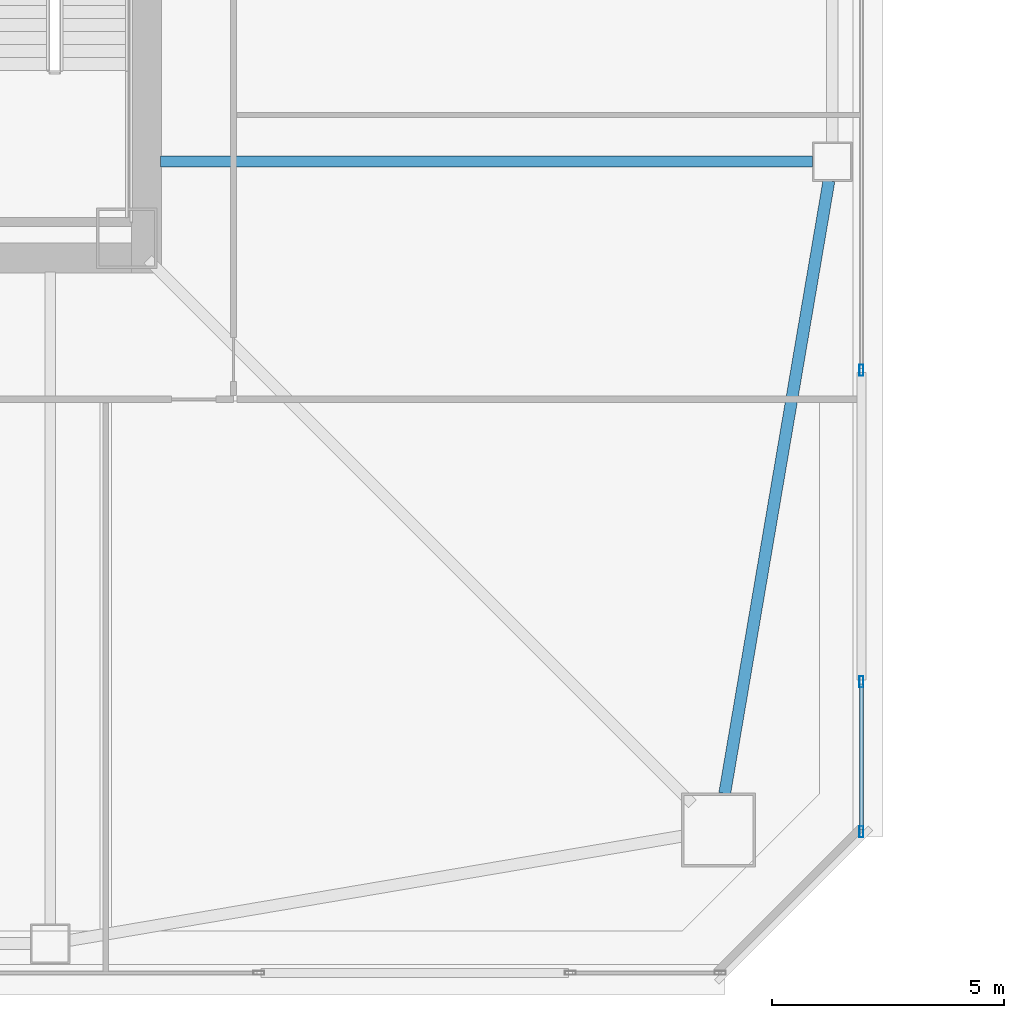
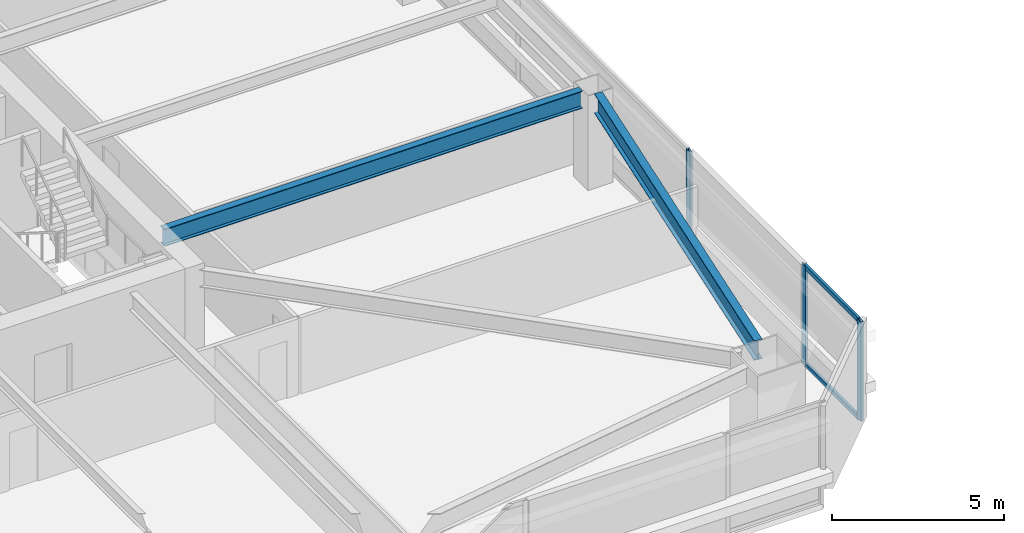
# One storey, part 10 of 51: 5 members, 2 beams, 2 elements without a shape of their own.
"""IFC4 building model written with IfcOpenShell, lengths in metres."""

import ifcopenshell
import ifcopenshell.guid

model = None  # the IFC model being written
_history = None  # IfcOwnerHistory: only IFC2X3 demands one
_inside = {}  # id of a spatial element -> (the spatial element, [elements in it])
_under = {}  # id of a project, library or spatial element -> (it, [spatial elements below it])
_declared = {}  # id of a project -> (the project, [libraries it declares])
_typed = {}  # id of a type object -> (the type object, [elements of that type])
_made_of = {}  # id of a material, layer set ... -> (it, [elements and type objects made of it])


def new_model(schema):
    """Start an empty IFC model of exactly this schema.

    Asked for "IFC4X3", IfcOpenShell would pick the latest addendum, in which some entities
    have other attributes; the version numbers below select the first issue.
    IFC2X3 requires an IfcOwnerHistory on every rooted entity: one is made here for all.
    """
    global model, _history
    if schema == "IFC4X3":
        model = ifcopenshell.file(schema_version=(4, 3, 0, 0))
    else:
        model = ifcopenshell.file(schema=schema)
    _inside.clear()
    _under.clear()
    _declared.clear()
    _typed.clear()
    _made_of.clear()
    _history = None
    if model.schema == "IFC2X3":
        org = make("IfcOrganization", Name="unknown")
        user = make(
            "IfcPersonAndOrganization",
            ThePerson=make("IfcPerson", FamilyName="unknown"),
            TheOrganization=org,
        )
        app = make(
            "IfcApplication",
            ApplicationDeveloper=org,
            Version="unknown",
            ApplicationFullName="unknown",
            ApplicationIdentifier="unknown",
        )
        _history = make(
            "IfcOwnerHistory",
            OwningUser=user,
            OwningApplication=app,
            ChangeAction="ADDED",
            CreationDate=0,
        )
    return model


def make(cls, **values):
    """One entity of the class cls with the attributes given. An attribute that is None is left unset."""
    return model.create_entity(
        cls, **{name: value for name, value in values.items() if value is not None}
    )


def rooted(cls, **values):
    """An entity with a GlobalId (a new one), such as an element, a storey or a relation."""
    return make(cls, GlobalId=ifcopenshell.guid.new(), OwnerHistory=_history, **values)


def si_unit(unit_type, name, prefix=None):
    """IfcSIUnit, for example si_unit("LENGTHUNIT", "METRE", prefix="MILLI")."""
    return make("IfcSIUnit", UnitType=unit_type, Prefix=prefix, Name=name)


def assignment(units):
    """IfcUnitAssignment: the units of a project."""
    return None if units is None else make("IfcUnitAssignment", Units=units)


def point(xyz):
    """IfcCartesianPoint."""
    return None if xyz is None else make("IfcCartesianPoint", Coordinates=xyz)


def direction(xyz):
    """IfcDirection."""
    return None if xyz is None else make("IfcDirection", DirectionRatios=xyz)


def frame(location, z_axis=None, x_axis=None):
    """IfcAxis2Placement3D, a coordinate frame: its origin and axes. An axis left out is left unset."""
    return make(
        "IfcAxis2Placement3D",
        Location=point(location),
        Axis=direction(z_axis),
        RefDirection=direction(x_axis),
    )


def frame_2d(location, x_axis=None):
    """IfcAxis2Placement2D, a coordinate frame in the plane: its origin and x axis."""
    return make(
        "IfcAxis2Placement2D", Location=point(location), RefDirection=direction(x_axis)
    )


def origin():
    """The frame at (0, 0, 0) with its axes left unset."""
    return frame((0.0, 0.0, 0.0))


def origin_2d():
    """The frame at (0, 0) in the plane with its x axis left unset."""
    return frame_2d((0.0, 0.0))


def place(relative_to, where):
    """IfcLocalPlacement: puts the frame where relative to a parent placement (None: the world)."""
    return make(
        "IfcLocalPlacement", PlacementRelTo=relative_to, RelativePlacement=where
    )


def context(
    kind, dimensions, precision=None, world=None, true_north=None, identifier=None
):
    """IfcGeometricRepresentationContext, for example the 3D "Model" context."""
    return make(
        "IfcGeometricRepresentationContext",
        ContextIdentifier=identifier,
        ContextType=kind,
        CoordinateSpaceDimension=dimensions,
        Precision=precision,
        WorldCoordinateSystem=world,
        TrueNorth=true_north,
    )


def subcontext(parent, identifier, kind, view, scale=None):
    """IfcGeometricRepresentationSubContext, for example "Body" below "Model"."""
    return make(
        "IfcGeometricRepresentationSubContext",
        ContextIdentifier=identifier,
        ContextType=kind,
        ParentContext=parent,
        TargetScale=scale,
        TargetView=view,
    )


def project(units=None, contexts=None):
    """IfcProject with its units and contexts."""
    return rooted(
        "IfcProject",
        Name="project",
        RepresentationContexts=contexts,
        UnitsInContext=assignment(units),
    )


def spatial(cls, under=None, at=None, **own):
    """A site, building, storey or space (cls), placed at a placement, below another one or the project."""
    s = rooted(cls, ObjectPlacement=at, **own)
    if under is not None:
        _under.setdefault(under.id(), (under, []))[1].append(s)
    return s


def profile(cls, at=None, kind="AREA", **sizes):
    """A parametric profile (cls). Its sizes go by their IFC names, for example OverallWidth=200.0."""
    return make(cls, ProfileType=kind, Position=at, **sizes)


def hollow_rectangle(**sizes):
    """IfcRectangleHollowProfileDef."""
    return profile("IfcRectangleHollowProfileDef", **sizes)


def i_section(**sizes):
    """IfcIShapeProfileDef."""
    return profile("IfcIShapeProfileDef", **sizes)


def extrude(swept, where, along, depth):
    """IfcExtrudedAreaSolid: the profile swept, set in the frame where, extruded along a direction by depth."""
    return make(
        "IfcExtrudedAreaSolid",
        SweptArea=swept,
        Position=where,
        ExtrudedDirection=direction(along),
        Depth=depth,
    )


def shape(context_of_items, identifier, shape_type, items):
    """IfcShapeRepresentation: the items that make up one representation, for example the "Body"."""
    return make(
        "IfcShapeRepresentation",
        ContextOfItems=context_of_items,
        RepresentationIdentifier=identifier,
        RepresentationType=shape_type,
        Items=items,
    )


def material(Name=None, Category=None):
    """IfcMaterial."""
    return make("IfcMaterial", Name=Name, Category=Category)


def material_profile(
    of_material, cross_section, Name=None, Category=None, Priority=None
):
    """IfcMaterialProfile: a cross section and its material."""
    return make(
        "IfcMaterialProfile",
        Name=Name,
        Material=of_material,
        Profile=cross_section,
        Priority=Priority,
        Category=Category,
    )


def profile_set(profiles, Name=None, composite=None):
    """IfcMaterialProfileSet."""
    return make(
        "IfcMaterialProfileSet",
        Name=Name,
        MaterialProfiles=profiles,
        CompositeProfile=composite,
    )


def made_of(thing, what):
    """Note that an element or type object is made of a material, layer set ...; save() writes the relation."""
    if what is not None:
        _made_of.setdefault(what.id(), (what, []))[1].append(thing)
    return thing


def type_object(cls, material=None, **own):
    """A type object (cls), such as IfcWallType, which elements share."""
    return made_of(rooted(cls, **own), material)


def element(
    cls,
    number,
    at=None,
    inside=None,
    cuts=None,
    type_object=None,
    material=None,
    context=None,
    identifier="Body",
    shape_type=None,
    held_by="IfcProductDefinitionShape",
    body=None,
    shapes=None,
    **own,
):
    """One element of the class cls, such as IfcWall. Its Tag is "e" and its number.

    at: its placement. inside: the storey or other place that contains it. cuts: it is an
    opening in that element (IfcRelVoidsElement). A single representation is given by context,
    identifier, shape_type and body (its items); several are given by shapes. held_by: the class
    of the entity that holds the representations. save() writes the other relations.
    """
    e = rooted(cls, Tag="e%d" % number, ObjectPlacement=at, **own)
    if body is not None:
        shapes = [shape(context, identifier, shape_type, body)]
    if shapes is not None:
        e.Representation = make(held_by, Representations=shapes)
    if inside is not None:
        _inside.setdefault(inside.id(), (inside, []))[1].append(e)
    if cuts is not None:
        rooted(
            "IfcRelVoidsElement", RelatingBuildingElement=cuts, RelatedOpeningElement=e
        )
    if type_object is not None:
        _typed.setdefault(type_object.id(), (type_object, []))[1].append(e)
    return made_of(e, material)


def aggregate(whole, parts):
    """IfcRelAggregates: a whole, such as a stair, and the parts it consists of."""
    return rooted("IfcRelAggregates", RelatingObject=whole, RelatedObjects=parts)


def save(model, path):
    """Write the relations noted so far, then the file.

    IfcRelAggregates (storeys below a building ...), IfcRelContainedInSpatialStructure (elements
    in a storey), IfcRelDefinesByType, IfcRelAssociatesMaterial and IfcRelDeclares: one each for
    every whole, place, type object, material and project.
    """
    for whole, parts in _under.values():
        aggregate(whole, parts)
    for where, things in _inside.values():
        rooted(
            "IfcRelContainedInSpatialStructure",
            RelatedElements=things,
            RelatingStructure=where,
        )
    for kind, things in _typed.values():
        rooted("IfcRelDefinesByType", RelatedObjects=things, RelatingType=kind)
    for what, things in _made_of.values():
        rooted("IfcRelAssociatesMaterial", RelatedObjects=things, RelatingMaterial=what)
    for by, libraries in _declared.values():
        rooted("IfcRelDeclares", RelatingContext=by, RelatedDefinitions=libraries)
    model.write(path)


model = new_model("IFC4")

# Units and contexts
model_context = context("Model", 3, precision=1e-05, world=origin(), true_north=direction((0.0, 1.0)))
body_context = subcontext(model_context, "Body", "Model", "MODEL_VIEW")
ifc_project = project(units=[si_unit("LENGTHUNIT", "METRE"), si_unit("AREAUNIT", "SQUARE_METRE"), si_unit("VOLUMEUNIT", "CUBIC_METRE"), si_unit("PLANEANGLEUNIT", "RADIAN"), si_unit("MASSUNIT", "GRAM", prefix="KILO")], contexts=[model_context])

# Site, building, storey
site_placement = place(None, origin())
site = spatial("IfcSite", under=ifc_project, at=site_placement, CompositionType="ELEMENT")
building_placement = place(site_placement, origin())
building = spatial("IfcBuilding", under=site, at=building_placement, Name="Tashvorn Skyway Center", CompositionType="ELEMENT")
storey_placement = place(building_placement, frame((0.0, 0.0, 49.449951171875)))
storey = spatial("IfcBuildingStorey", under=building, at=storey_placement, Name="L12", CompositionType="ELEMENT", Elevation=49.449951171875)

# Beams
ifc_material_1 = material(Name="Steel ASTM A992 Grade 50", Category="steel")
ifc_material_profile_1 = material_profile(ifc_material_1, i_section(OverallWidth=0.22998046875, OverallDepth=0.616943359375, WebThickness=0.01318359375, FlangeThickness=0.022216796875, at=origin_2d()), Name="W24X94")
ifc_profile_set_1 = profile_set([ifc_material_profile_1], Name="Steel ASTM A992 Grade 50")
beam_type_1 = type_object("IfcBeamType", Name="BM-BEAM-W24X94", PredefinedType="BEAM", material=ifc_profile_set_1)
beam_1_placement = place(storey_placement, frame((63.830078125, 26.60009765625, 3.04150390625), z_axis=(-1.0, 0.0, 0.0), x_axis=(0.0, -1.0, 0.0)))
element("IfcBeam", 1, at=beam_1_placement, inside=storey, type_object=beam_type_1, Name="Tower 1 L12 Primary Floor Girder FC-E1", PredefinedType="BEAM", context=body_context, shape_type="SweptSolid", body=[
    extrude(i_section(OverallWidth=0.22998046875, OverallDepth=0.616943359375, WebThickness=0.01318359375, FlangeThickness=0.022216796875, at=origin_2d()), origin(), (0.0, 0.0, 1.0), 14.050048828125),
])
ifc_material_profile_2 = material_profile(ifc_material_1, i_section(OverallWidth=0.256103515625, OverallDepth=0.693115234375, WebThickness=0.014404296875, FlangeThickness=0.023681640625, at=origin_2d()), Name="W27X114")
ifc_profile_set_2 = profile_set([ifc_material_profile_2], Name="Steel ASTM A992 Grade 50")
beam_type_2 = type_object("IfcBeamType", Name="BM-SPANDREL-W27X114", PredefinedType="SPANDREL", material=ifc_profile_set_2)
beam_2_placement = place(storey_placement, frame((61.933349609375, 12.983642578125, 3.003662109375), z_axis=(0.16771792509, 0.985835025551, 0.0), x_axis=(-0.985835025551, 0.16771792509, 0.0)))
element("IfcBeam", 2, at=beam_2_placement, inside=storey, type_object=beam_type_2, Name="Tower 1 L12 Spandrel Beam 04", PredefinedType="SPANDREL", context=body_context, shape_type="SweptSolid", body=[
    extrude(i_section(OverallWidth=0.256103515625, OverallDepth=0.693115234375, WebThickness=0.014404296875, FlangeThickness=0.023681640625, at=origin_2d()), origin(), (0.0, 0.0, 1.0), 13.39208984375),
])

# Curtain wall, member
ifc_material_2 = material(Name="Thermally broken bronze-anodized aluminium 6063-T6", Category="aluminium")
curtain_wall_type = type_object("IfcCurtainWallType", Name="CW-CW-Z1", PredefinedType="NOTDEFINED", material=ifc_material_2)
curtain_wall_1_placement = place(storey_placement, origin())
curtain_wall_1 = element("IfcCurtainWall", 3, at=curtain_wall_1_placement, inside=storey, type_object=curtain_wall_type, Name="Tower 1 L12 East Unitised Curtain Wall Glazing Group 2", PredefinedType="NOTDEFINED")
ifc_material_profile_3 = material_profile(ifc_material_2, hollow_rectangle(XDim=0.0849609375, YDim=0.239990234375, WallThickness=0.0048828125, at=origin_2d()), Name="ALU-MULL-85x240")
ifc_profile_set_3 = profile_set([ifc_material_profile_3], Name="Thermally broken bronze-anodized aluminium 6063-T6")
member_type_1 = type_object("IfcMemberType", Name="CWM-CW-Z1", PredefinedType="MULLION", material=ifc_profile_set_3)
member_1_placement = place(storey_placement, frame((64.8798828125, 22.1025390625, 0.0), z_axis=(0.0, 0.0, 1.0), x_axis=(1.0, 0.0, 0.0)))
member_1 = element("IfcMember", 4, at=member_1_placement, type_object=member_type_1, Name="CW-Z1 mullion 3", PredefinedType="MULLION", context=body_context, shape_type="SweptSolid", body=[
    extrude(hollow_rectangle(XDim=0.0849609375, YDim=0.239990234375, WallThickness=0.0048828125, at=origin_2d()), origin(), (0.0, 0.0, 1.0), 3.550048828125),
])
aggregate(curtain_wall_1, [member_1])

# Curtain wall, members
curtain_wall_2_placement = place(storey_placement, origin())
curtain_wall_2 = element("IfcCurtainWall", 5, at=curtain_wall_2_placement, inside=storey, type_object=curtain_wall_type, Name="Tower 1 L12 East Unitised Curtain Wall Glazing Group 3", PredefinedType="NOTDEFINED")
member_2_placement = place(storey_placement, frame((64.8798828125, 15.390869140625, 0.0), z_axis=(0.0, 0.0, 1.0), x_axis=(1.0, 0.0, 0.0)))
member_2 = element("IfcMember", 6, at=member_2_placement, type_object=member_type_1, Name="CW-Z1 mullion 1", PredefinedType="MULLION", context=body_context, shape_type="SweptSolid", body=[
    extrude(hollow_rectangle(XDim=0.0849609375, YDim=0.239990234375, WallThickness=0.0048828125, at=origin_2d()), origin(), (0.0, 0.0, 1.0), 3.550048828125),
])
member_3_placement = place(storey_placement, frame((64.8798828125, 12.16259765625, 0.0), z_axis=(0.0, 0.0, 1.0), x_axis=(1.0, 0.0, 0.0)))
member_3 = element("IfcMember", 7, at=member_3_placement, type_object=member_type_1, Name="CW-Z1 mullion 2", PredefinedType="MULLION", context=body_context, shape_type="SweptSolid", body=[
    extrude(hollow_rectangle(XDim=0.0849609375, YDim=0.239990234375, WallThickness=0.0048828125, at=origin_2d()), origin(), (0.0, 0.0, 1.0), 3.550048828125),
])
ifc_material_profile_4 = material_profile(ifc_material_2, hollow_rectangle(XDim=0.0849609375, YDim=0.1650390625, WallThickness=0.0048828125, at=origin_2d()), Name="ALU-TRAN-85x165")
ifc_profile_set_4 = profile_set([ifc_material_profile_4], Name="Thermally broken bronze-anodized aluminium 6063-T6")
member_type_2 = type_object("IfcMemberType", Name="CWT-CW-Z1", PredefinedType="USERDEFINED", material=ifc_profile_set_4)
member_4_placement = place(storey_placement, frame((64.8798828125, 15.348388671875, 0.04248046875), z_axis=(0.0, -1.0, 0.0), x_axis=(1.0, 0.0, 0.0)))
member_4 = element("IfcMember", 8, at=member_4_placement, type_object=member_type_2, Name="CW-Z1 transom 1.1", ObjectType="TRANSOM", PredefinedType="USERDEFINED", context=body_context, shape_type="SweptSolid", body=[
    extrude(hollow_rectangle(XDim=0.0849609375, YDim=0.1650390625, WallThickness=0.0048828125, at=origin_2d()), origin(), (0.0, 0.0, 1.0), 3.143310546875),
])
member_5_placement = place(storey_placement, frame((64.8798828125, 15.348388671875, 3.507568359375), z_axis=(0.0, -1.0, 0.0), x_axis=(1.0, 0.0, 0.0)))
member_5 = element("IfcMember", 9, at=member_5_placement, type_object=member_type_2, Name="CW-Z1 transom 1.2", ObjectType="TRANSOM", PredefinedType="USERDEFINED", context=body_context, shape_type="SweptSolid", body=[
    extrude(hollow_rectangle(XDim=0.0849609375, YDim=0.1650390625, WallThickness=0.0048828125, at=origin_2d()), origin(), (0.0, 0.0, 1.0), 3.143310546875),
])
aggregate(curtain_wall_2, [member_2, member_3, member_4, member_5])

save(model, "model.ifc")
